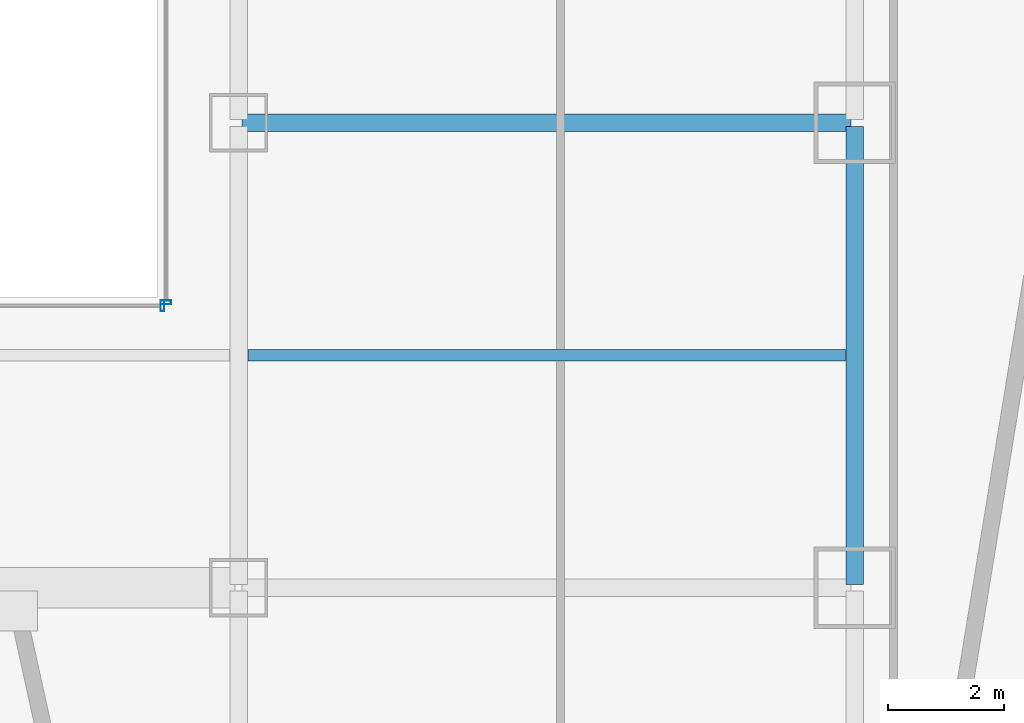
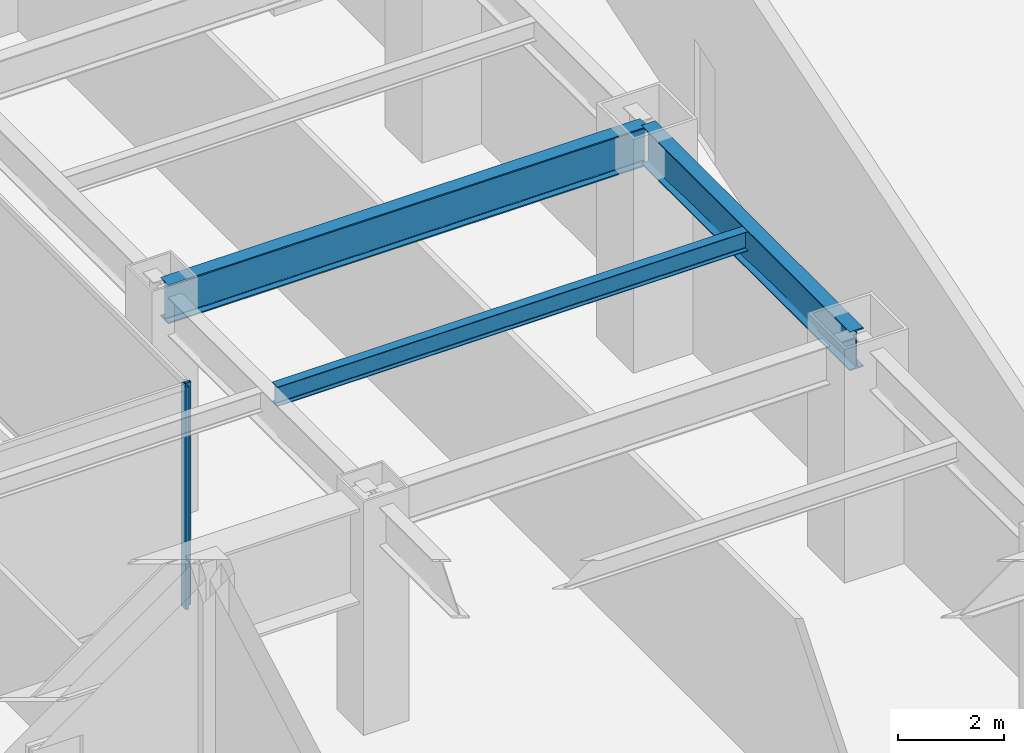
# One storey, part 9 of 29: 3 beams, 2 members, 2 elements without a shape of their own.
"""IFC4 building model written with IfcOpenShell, lengths in metres."""

from ifc_helpers import new_model, si_unit, direction, frame, origin, origin_2d, place, context, subcontext, project, spatial, hollow_rectangle, i_section, extrude, material, material_profile, profile_set, type_object, element, aggregate, save


model = new_model("IFC4")

# Units and contexts
model_context = context("Model", 3, precision=1e-05, world=origin(), true_north=direction((0.0, 1.0)))
body_context = subcontext(model_context, "Body", "Model", "MODEL_VIEW")
ifc_project = project(units=[si_unit("LENGTHUNIT", "METRE"), si_unit("AREAUNIT", "SQUARE_METRE"), si_unit("VOLUMEUNIT", "CUBIC_METRE"), si_unit("PLANEANGLEUNIT", "RADIAN"), si_unit("MASSUNIT", "GRAM", prefix="KILO")], contexts=[model_context])

# Site, building, storey
site_placement = place(None, origin())
site = spatial("IfcSite", under=ifc_project, at=site_placement, CompositionType="ELEMENT")
building_placement = place(site_placement, origin())
building = spatial("IfcBuilding", under=site, at=building_placement, Name="Saevonmaru Cultural Tower", CompositionType="ELEMENT")
storey_placement = place(building_placement, frame((0.0, 0.0, 27.60009765625)))
storey = spatial("IfcBuildingStorey", under=building, at=storey_placement, Name="L05", CompositionType="ELEMENT", Elevation=27.60009765625)

# Beams
ifc_material_1 = material(Name="Steel SM420", Category="steel")
ifc_material_profile_1 = material_profile(ifc_material_1, i_section(OverallWidth=0.300048828125, OverallDepth=0.89990234375, WebThickness=0.01611328125, FlangeThickness=0.028076171875, FilletRadius=0.028076171875, at=origin_2d()), Name="H-900x300x16x28")
ifc_profile_set_1 = profile_set([ifc_material_profile_1], Name="Steel SM420")
beam_type_1 = type_object("IfcBeamType", Name="BM-G-H900", PredefinedType="BEAM", material=ifc_profile_set_1)
beam_1_placement = place(storey_placement, frame((47.800048828125, 16.06005859375, 4.699951171875), z_axis=(0.0, 1.0, 0.0), x_axis=(-1.0, 0.0, 0.0)))
element("IfcBeam", 1, at=beam_1_placement, inside=storey, type_object=beam_type_1, Name="L05 Podium Girder NS4-3", PredefinedType="BEAM", context=body_context, shape_type="SweptSolid", body=[
    extrude(i_section(OverallWidth=0.300048828125, OverallDepth=0.89990234375, WebThickness=0.01611328125, FlangeThickness=0.028076171875, FilletRadius=0.028076171875, at=origin_2d()), origin(), (0.0, 0.0, 1.0), 7.8798828125),
])
beam_2_placement = place(storey_placement, frame((37.260009765625, 24.0, 4.699951171875), z_axis=(1.0, 0.0, 0.0), x_axis=(0.0, 1.0, 0.0)))
element("IfcBeam", 2, at=beam_2_placement, inside=storey, type_object=beam_type_1, Name="L05 Gallery Girder E-3", PredefinedType="BEAM", context=body_context, shape_type="SweptSolid", body=[
    extrude(i_section(OverallWidth=0.300048828125, OverallDepth=0.89990234375, WebThickness=0.01611328125, FlangeThickness=0.028076171875, FilletRadius=0.028076171875, at=origin_2d()), origin(), (0.0, 0.0, 1.0), 10.47998046875),
])
ifc_material_2 = material(Name="Steel SM355", Category="steel")
ifc_material_profile_2 = material_profile(ifc_material_2, i_section(OverallWidth=0.199951171875, OverallDepth=0.449951171875, WebThickness=0.009033203125, FlangeThickness=0.013916015625, FilletRadius=0.01806640625, at=origin_2d()), Name="H-450x200x9x14")
ifc_profile_set_2 = profile_set([ifc_material_profile_2], Name="Steel SM355")
beam_type_2 = type_object("IfcBeamType", Name="BM-J-H450", PredefinedType="JOIST", material=ifc_profile_set_2)
beam_3_placement = place(storey_placement, frame((37.35791015625, 20.0, 4.9248046875), z_axis=(1.0, 0.0, 0.0), x_axis=(0.0, 1.0, 0.0)))
element("IfcBeam", 3, at=beam_3_placement, inside=storey, type_object=beam_type_2, Name="L05 Secondary Floor Joist JE-2", PredefinedType="JOIST", context=body_context, shape_type="SweptSolid", body=[
    extrude(i_section(OverallWidth=0.199951171875, OverallDepth=0.449951171875, WebThickness=0.009033203125, FlangeThickness=0.013916015625, FilletRadius=0.01806640625, at=origin_2d()), origin(), (0.0, 0.0, 1.0), 10.2841796875),
])

# Curtain wall, member
ifc_material_3 = material(Name="Satin Bronze Anodised Aluminium", Category="aluminium")
curtain_wall_type = type_object("IfcCurtainWallType", Name="CW-ATR-GLZ", PredefinedType="NOTDEFINED", material=ifc_material_3)
curtain_wall_1_placement = place(storey_placement, origin())
curtain_wall_1 = element("IfcCurtainWall", 4, at=curtain_wall_1_placement, inside=storey, type_object=curtain_wall_type, Name="L05 Vertical Atrium Glazed Smoke Screen 1", PredefinedType="NOTDEFINED")
ifc_material_profile_3 = material_profile(ifc_material_3, hollow_rectangle(XDim=0.06494140625, YDim=0.179931640625, WallThickness=0.00390625, at=origin_2d()), Name="ALU-MULL-180x65x4")
ifc_profile_set_3 = profile_set([ifc_material_profile_3], Name="Satin Bronze Anodised Aluminium")
member_type = type_object("IfcMemberType", Name="ML-CW-INT-180x65", PredefinedType="MULLION", material=ifc_profile_set_3)
member_1_placement = place(storey_placement, frame((35.889892578125, 20.85009765625, 0.0), z_axis=(0.0, 0.0, 1.0), x_axis=(1.0, 0.0, 0.0)))
member_1 = element("IfcMember", 5, at=member_1_placement, type_object=member_type, Name="CW-ATR-L05-1 mullion 2", PredefinedType="MULLION", context=body_context, shape_type="SweptSolid", body=[
    extrude(hollow_rectangle(XDim=0.06494140625, YDim=0.179931640625, WallThickness=0.00390625, at=origin_2d()), origin(), (0.0, 0.0, 1.0), 5.14990234375),
])
aggregate(curtain_wall_1, [member_1])

curtain_wall_2_placement = place(storey_placement, origin())
curtain_wall_2 = element("IfcCurtainWall", 6, at=curtain_wall_2_placement, inside=storey, type_object=curtain_wall_type, Name="L05 Vertical Atrium Glazed Smoke Screen 2", PredefinedType="NOTDEFINED")
member_2_placement = place(storey_placement, frame((35.949951171875, 20.909912109375, 0.0), z_axis=(0.0, 0.0, 1.0), x_axis=(0.0, 1.0, 0.0)))
member_2 = element("IfcMember", 7, at=member_2_placement, type_object=member_type, Name="CW-ATR-L05-2 mullion 1", PredefinedType="MULLION", context=body_context, shape_type="SweptSolid", body=[
    extrude(hollow_rectangle(XDim=0.06494140625, YDim=0.179931640625, WallThickness=0.00390625, at=origin_2d()), origin(), (0.0, 0.0, 1.0), 5.14990234375),
])
aggregate(curtain_wall_2, [member_2])

save(model, "model.ifc")
